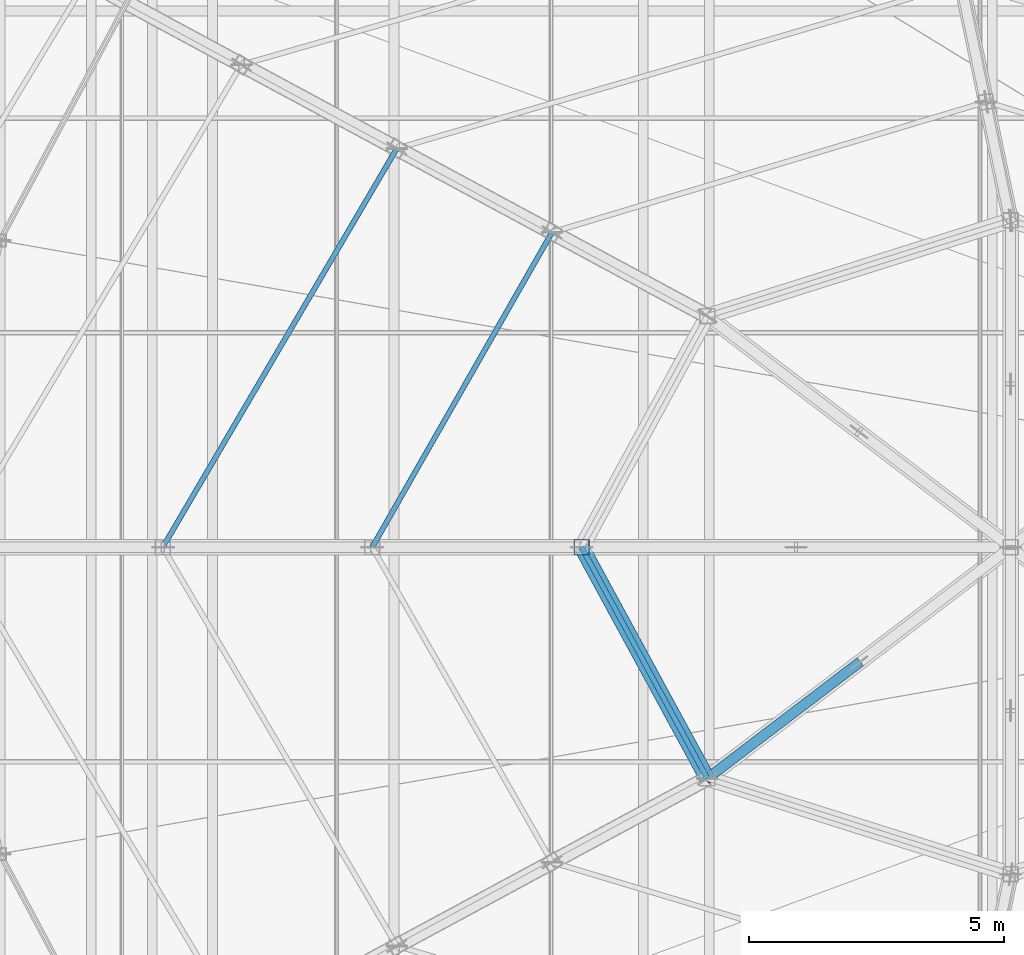
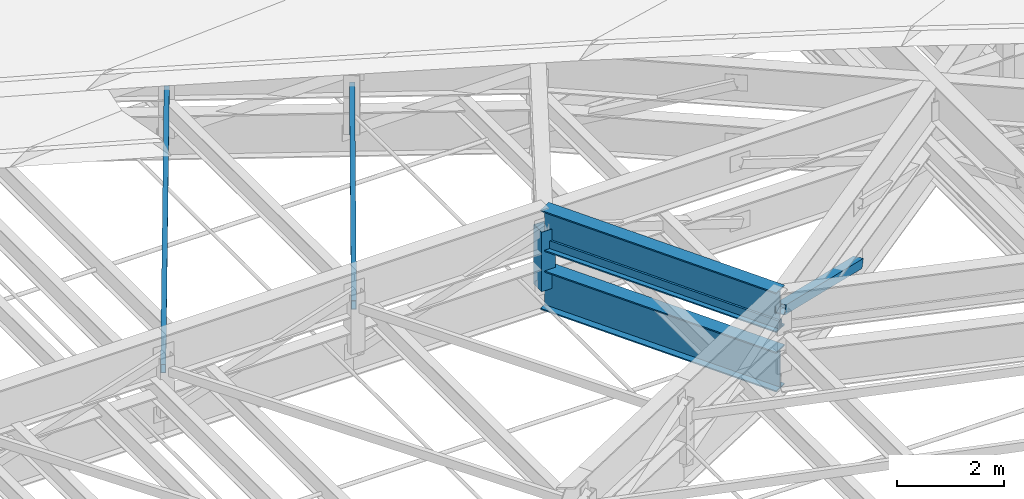
# One storey, part 57 of 184: 5 members, 2 beams.
"""IFC4 building model written with IfcOpenShell, lengths in metres."""

from ifc_helpers import new_model, si_unit, direction, frame, origin, origin_2d, place, context, subcontext, project, spatial, hollow_rectangle, i_section, extrude, material, material_profile, profile_set, type_object, element, save


model = new_model("IFC4")

# Units and contexts
model_context = context("Model", 3, precision=1e-05, world=origin(), true_north=direction((0.0, 1.0)))
body_context = subcontext(model_context, "Body", "Model", "MODEL_VIEW")
ifc_project = project(units=[si_unit("LENGTHUNIT", "METRE"), si_unit("AREAUNIT", "SQUARE_METRE"), si_unit("VOLUMEUNIT", "CUBIC_METRE"), si_unit("PLANEANGLEUNIT", "RADIAN"), si_unit("MASSUNIT", "GRAM", prefix="KILO")], contexts=[model_context])

# Site, building, storey
site_placement = place(None, origin())
site = spatial("IfcSite", under=ifc_project, at=site_placement, CompositionType="ELEMENT")
building_placement = place(site_placement, origin())
building = spatial("IfcBuilding", under=site, at=building_placement, Name="Kalgoora Escarpment Arena", CompositionType="ELEMENT")
storey_placement = place(building_placement, frame((0.0, 0.0, 27.60009765625)))
storey = spatial("IfcBuildingStorey", under=building, at=storey_placement, Name="Roof Level", CompositionType="ELEMENT", Elevation=27.60009765625)

# Beams
ifc_material_1 = material(Name="Structural steel Grade 350 (350 MPa)", Category="steel")
ifc_material_profile_1 = material_profile(ifc_material_1, i_section(OverallWidth=0.300048828125, OverallDepth=0.909912109375, WebThickness=0.011962890625, FlangeThickness=0.028076171875, at=origin_2d()))
ifc_profile_set_1 = profile_set([ifc_material_profile_1], Name="Structural steel Grade 350 (350 MPa)")
beam_type = type_object("IfcBeamType", Name="BM-HUB-RING", PredefinedType="USERDEFINED", material=ifc_profile_set_1)
for number, where, z_axis, x_axis, name in (
    (1, (88.800048828125, 64.0, -1.60009765625), (0.477626268516, -0.878563115333, 0.0), (0.878563115333, 0.477626268516, 0.0), "Central ROOF TRUSS hub bottom ring 5"),
    (2, (88.800048828125, 64.0, -0.25), (0.477626268516, -0.878563115333, 0.0), (0.878563115333, 0.477626268516, 0.0), "Central ROOF TRUSS hub top ring 5"),
):
    element("IfcBeam", number, at=place(storey_placement, frame(where, z_axis=z_axis, x_axis=x_axis)), inside=storey, type_object=beam_type, Name=name, ObjectType="GIRDER", PredefinedType="USERDEFINED", context=body_context, shape_type="SweptSolid", body=[
        extrude(i_section(OverallWidth=0.300048828125, OverallDepth=0.909912109375, WebThickness=0.011962890625, FlangeThickness=0.028076171875, at=origin_2d()), origin(), (0.0, 0.0, 1.0), 5.15087890625),
    ])

# Members
ifc_material_2 = material(Name="Structural steel C350 (350 MPa)", Category="steel")
ifc_material_profile_2 = material_profile(ifc_material_2, hollow_rectangle(XDim=0.10009765625, YDim=0.199951171875, WallThickness=0.009033203125, at=origin_2d()))
ifc_profile_set_2 = profile_set([ifc_material_profile_2], Name="Structural steel C350 (350 MPa)")
member_type_1 = type_object("IfcMemberType", Name="MEM-PURLIN-RHS", PredefinedType="PURLIN", material=ifc_profile_set_2)
member_1_placement = place(storey_placement, frame((85.180908203125, 71.806396484375, -0.6201171875), z_axis=(-0.506101565058, -0.862473887051, 0.0), x_axis=(0.862473887051, -0.506101565058, 0.0)))
element("IfcMember", 3, at=member_1_placement, inside=storey, type_object=member_type_1, Name="Roof circumferential purlin ring 9 sector 4", PredefinedType="PURLIN", context=body_context, shape_type="SweptSolid", body=[
    extrude(hollow_rectangle(XDim=0.10009765625, YDim=0.199951171875, WallThickness=0.009033203125, at=origin_2d()), origin(), (0.0, 0.0, 1.0), 9.05126953125),
])
member_2_placement = place(storey_placement, frame((88.220703125, 70.166015625, -0.610107421875), z_axis=(-0.495853787676, -0.868406023268, 0.0), x_axis=(0.868406023268, -0.495853787676, 0.0)))
element("IfcMember", 4, at=member_2_placement, inside=storey, type_object=member_type_1, Name="Roof circumferential purlin ring 10 sector 4", PredefinedType="PURLIN", context=body_context, shape_type="SweptSolid", body=[
    extrude(hollow_rectangle(XDim=0.10009765625, YDim=0.199951171875, WallThickness=0.009033203125, at=origin_2d()), origin(), (0.0, 0.0, 1.0), 7.100341796875),
])
member_3_placement = place(storey_placement, frame((88.800048828125, 64.0, -0.60009765625), z_axis=(0.477626268516, -0.878563115333, 0.0), x_axis=(0.878563115333, 0.477626268516, 0.0)))
element("IfcMember", 5, at=member_3_placement, inside=storey, type_object=member_type_1, Name="Roof circumferential purlin ring 11 sector 5", PredefinedType="PURLIN", context=body_context, shape_type="SweptSolid", body=[
    extrude(hollow_rectangle(XDim=0.10009765625, YDim=0.199951171875, WallThickness=0.009033203125, at=origin_2d()), origin(), (0.0, 0.0, 1.0), 5.15087890625),
])
ifc_material_3 = material(Name="Structural steel C350 (350 MPa)", Category="steel")
ifc_material_profile_3 = material_profile(ifc_material_3, hollow_rectangle(XDim=0.199951171875, YDim=0.199951171875, WallThickness=0.009033203125, at=origin_2d()))
ifc_profile_set_3 = profile_set([ifc_material_profile_3], Name="Structural steel C350 (350 MPa)")
member_type_2 = type_object("IfcMemberType", Name="MEM-TRUSS-DIAG", PredefinedType="BRACE", material=ifc_profile_set_3)
member_4_placement = place(storey_placement, frame((94.230224609375, 61.7373046875, -1.60009765625), z_axis=(-0.748046980047, -0.569905418091, 0.340049305356), x_axis=(0.606019573857, -0.795449731977, 0.0)))
element("IfcMember", 6, at=member_4_placement, inside=storey, type_object=member_type_2, Name="Central ROOF TRUSS hub web diagonal 2-4", PredefinedType="BRACE", context=body_context, shape_type="SweptSolid", body=[
    extrude(hollow_rectangle(XDim=0.199951171875, YDim=0.199951171875, WallThickness=0.009033203125, at=origin_2d()), origin(), (0.0, 0.0, 1.0), 3.97021484375),
])
ifc_material_4 = material(Name="Structural steel C450 (450 MPa)", Category="steel")
ifc_material_profile_4 = material_profile(ifc_material_4, hollow_rectangle(XDim=0.300048828125, YDim=0.300048828125, WallThickness=0.012451171875, at=origin_2d()))
ifc_profile_set_4 = profile_set([ifc_material_profile_4], Name="Structural steel C450 (450 MPa)")
member_type_3 = type_object("IfcMemberType", Name="MEM-TRUSS-POST", PredefinedType="POST", material=ifc_profile_set_4)
member_5_placement = place(storey_placement, frame((88.800048828125, 64.0, -1.60009765625), z_axis=(0.0, 0.0, 1.0), x_axis=(1.0, 0.0, 0.0)))
element("IfcMember", 7, at=member_5_placement, inside=storey, type_object=member_type_3, Name="Central ROOF TRUSS hub post 5", PredefinedType="POST", context=body_context, shape_type="SweptSolid", body=[
    extrude(hollow_rectangle(XDim=0.300048828125, YDim=0.300048828125, WallThickness=0.012451171875, at=origin_2d()), origin(), (0.0, 0.0, 1.0), 1.35009765625),
])

save(model, "model.ifc")
